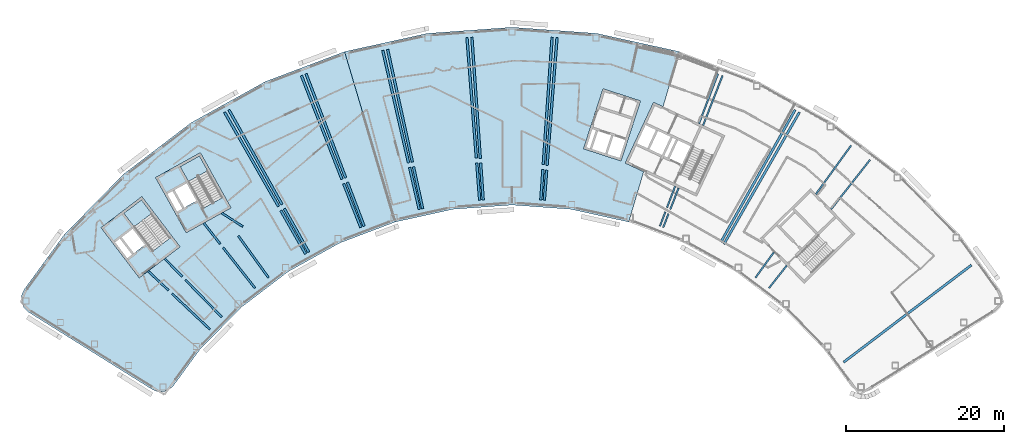
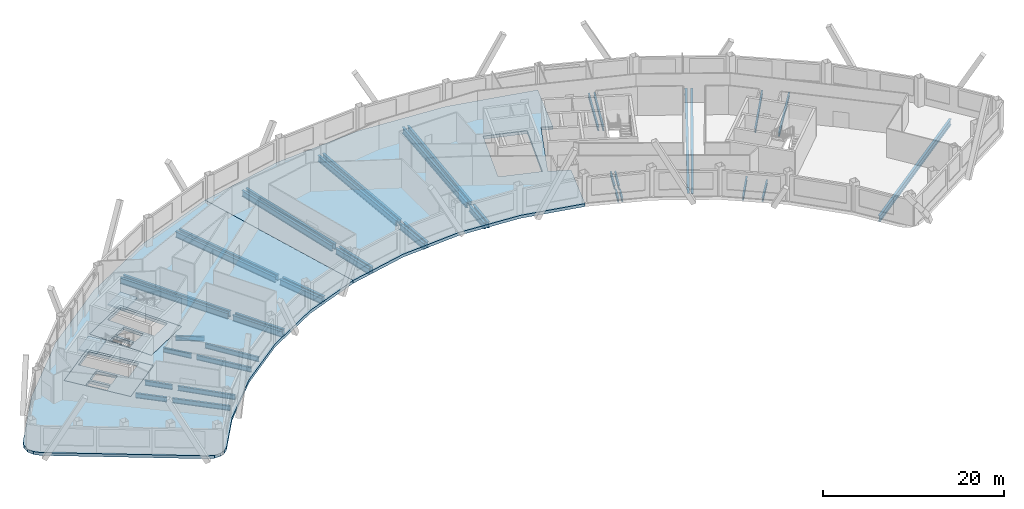
# One storey, part 3 of 13: 41 beams, 6 slabs, 2 elements without a shape of their own.
"""IFC4 building model written with IfcOpenShell, lengths in metres."""

from ifc_helpers import new_model, si_unit, direction, frame, origin, origin_2d, place, context, subcontext, project, spatial, polyline, i_section, outline, extrude, material, layer, layer_set, material_profile, profile_set, type_object, element, aggregate, save


model = new_model("IFC4")

# Units and contexts
model_context = context("Model", 3, precision=1e-05, world=origin(), true_north=direction((0.0, 1.0)))
body_context = subcontext(model_context, "Body", "Model", "MODEL_VIEW")
ifc_project = project(units=[si_unit("LENGTHUNIT", "METRE"), si_unit("AREAUNIT", "SQUARE_METRE"), si_unit("VOLUMEUNIT", "CUBIC_METRE"), si_unit("PLANEANGLEUNIT", "RADIAN"), si_unit("MASSUNIT", "GRAM", prefix="KILO")], contexts=[model_context])

# Site, building, storey
site_placement = place(None, origin())
site = spatial("IfcSite", under=ifc_project, at=site_placement, CompositionType="ELEMENT")
building_placement = place(site_placement, origin())
building = spatial("IfcBuilding", under=site, at=building_placement, Name="Tuul Gate Civic Tower", CompositionType="ELEMENT")
storey_placement = place(building_placement, frame((0.0, 0.0, 248.39990234375)))
storey = spatial("IfcBuildingStorey", under=building, at=storey_placement, Name="Level 56", CompositionType="ELEMENT", Elevation=248.39990234375)

# Beams
ifc_material_1 = material(Name="Steel S355", Category="steel")
ifc_material_profile_1 = material_profile(ifc_material_1, i_section(OverallWidth=0.199951171875, OverallDepth=0.5, WebThickness=0.010009765625, FlangeThickness=0.01611328125, at=origin_2d()), Name="PG500x200x10x16")
ifc_profile_set_1 = profile_set([ifc_material_profile_1], Name="Steel S355")
beam_type_1 = type_object("IfcBeamType", Name="STR-FLOOR BEAM-PG500x200x10x16", PredefinedType="BEAM", material=ifc_profile_set_1)
beam_1_placement = place(storey_placement, frame((43.65283203125, -19.018798828125, -0.64990234375), z_axis=(0.618884806669, 0.785481760497, 0.0), x_axis=(-0.785481760497, 0.618884806669, 0.0)))
element("IfcBeam", 1, at=beam_1_placement, inside=storey, type_object=beam_type_1, Name="Floor beam", PredefinedType="BEAM", context=body_context, shape_type="SweptSolid", body=[
    extrude(i_section(OverallWidth=0.199951171875, OverallDepth=0.5, WebThickness=0.010009765625, FlangeThickness=0.01611328125, at=origin_2d()), origin(), (0.0, 0.0, 1.0), 3.62841796875),
])
beam_2_placement = place(storey_placement, frame((51.51416015625, -9.041015625, -0.64990234375), z_axis=(0.618868232496, 0.785494819084, 0.0), x_axis=(-0.785494819084, 0.618868232496, 0.0)))
element("IfcBeam", 2, at=beam_2_placement, inside=storey, type_object=beam_type_1, Name="Floor beam", PredefinedType="BEAM", context=body_context, shape_type="SweptSolid", body=[
    extrude(i_section(OverallWidth=0.199951171875, OverallDepth=0.5, WebThickness=0.010009765625, FlangeThickness=0.01611328125, at=origin_2d()), origin(), (0.0, 0.0, 1.0), 8.0),
])
beam_3_placement = place(storey_placement, frame((41.9296875, -17.70703125, -0.64990234375), z_axis=(0.586087987159, 0.810247413639, 0.0), x_axis=(-0.810247413639, 0.586087987159, 0.0)))
element("IfcBeam", 3, at=beam_3_placement, inside=storey, type_object=beam_type_1, Name="Floor beam", PredefinedType="BEAM", context=body_context, shape_type="SweptSolid", body=[
    extrude(i_section(OverallWidth=0.199951171875, OverallDepth=0.5, WebThickness=0.010009765625, FlangeThickness=0.01611328125, at=origin_2d()), origin(), (0.0, 0.0, 1.0), 3.9677734375),
])
beam_4_placement = place(storey_placement, frame((49.606201171875, -7.094482421875, -0.64990234375), z_axis=(0.586084379685, 0.810250023073, 0.0), x_axis=(-0.810250023073, 0.586084379685, 0.0)))
element("IfcBeam", 4, at=beam_4_placement, inside=storey, type_object=beam_type_1, Name="Floor beam", PredefinedType="BEAM", context=body_context, shape_type="SweptSolid", body=[
    extrude(i_section(OverallWidth=0.199951171875, OverallDepth=0.5, WebThickness=0.010009765625, FlangeThickness=0.01611328125, at=origin_2d()), origin(), (0.0, 0.0, 1.0), 7.6083984375),
])
beam_5_placement = place(storey_placement, frame((30.219482421875, -11.332275390625, -0.64990234375), z_axis=(0.364004784205, 0.931397078091, 0.0), x_axis=(-0.931397078091, 0.364004784205, 0.0)))
element("IfcBeam", 5, at=beam_5_placement, inside=storey, type_object=beam_type_1, Name="Floor beam", PredefinedType="BEAM", context=body_context, shape_type="SweptSolid", body=[
    extrude(i_section(OverallWidth=0.199951171875, OverallDepth=0.5, WebThickness=0.010009765625, FlangeThickness=0.01611328125, at=origin_2d()), origin(), (0.0, 0.0, 1.0), 1.86669921875),
])
beam_6_placement = place(storey_placement, frame((31.119384765625, -9.02978515625, -0.64990234375), z_axis=(0.364073463609, 0.931370234169, 0.0), x_axis=(-0.931370234169, 0.364073463609, 0.0)))
element("IfcBeam", 6, at=beam_6_placement, inside=storey, type_object=beam_type_1, Name="Floor beam", PredefinedType="BEAM", context=body_context, shape_type="SweptSolid", body=[
    extrude(i_section(OverallWidth=0.199951171875, OverallDepth=0.5, WebThickness=0.010009765625, FlangeThickness=0.01611328125, at=origin_2d()), origin(), (0.0, 0.0, 1.0), 2.90966796875),
])
beam_7_placement = place(storey_placement, frame((35.279296875, 1.61328125, -0.64990234375), z_axis=(0.364058285938, 0.931376166992, 0.0), x_axis=(-0.931376166992, 0.364058285938, 0.0)))
element("IfcBeam", 7, at=beam_7_placement, inside=storey, type_object=beam_type_1, Name="Floor beam", PredefinedType="BEAM", context=body_context, shape_type="SweptSolid", body=[
    extrude(i_section(OverallWidth=0.199951171875, OverallDepth=0.5, WebThickness=0.010009765625, FlangeThickness=0.01611328125, at=origin_2d()), origin(), (0.0, 0.0, 1.0), 6.802001953125),
])
beam_8_placement = place(storey_placement, frame((29.800537109375, -11.173828125, -0.64990234375), z_axis=(0.356084559257, 0.934453737035, 0.0), x_axis=(-0.934453737035, 0.356084559257, 0.0)))
element("IfcBeam", 8, at=beam_8_placement, inside=storey, type_object=beam_type_1, Name="Floor beam", PredefinedType="BEAM", context=body_context, shape_type="SweptSolid", body=[
    extrude(i_section(OverallWidth=0.199951171875, OverallDepth=0.5, WebThickness=0.010009765625, FlangeThickness=0.01611328125, at=origin_2d()), origin(), (0.0, 0.0, 1.0), 1.93408203125),
])
beam_9_placement = place(storey_placement, frame((30.705078125, -8.80029296875, -0.64990234375), z_axis=(0.35610114832, 0.934447415409, 0.0), x_axis=(-0.934447415409, 0.35610114832, 0.0)))
element("IfcBeam", 9, at=beam_9_placement, inside=storey, type_object=beam_type_1, Name="Floor beam", PredefinedType="BEAM", context=body_context, shape_type="SweptSolid", body=[
    extrude(i_section(OverallWidth=0.199951171875, OverallDepth=0.5, WebThickness=0.010009765625, FlangeThickness=0.01611328125, at=origin_2d()), origin(), (0.0, 0.0, 1.0), 2.878173828125),
])
beam_10_placement = place(storey_placement, frame((34.76513671875, 1.85302734375, -0.64990234375), z_axis=(0.356113986588, 0.934442522875, 0.0), x_axis=(-0.934442522875, 0.356113986588, 0.0)))
element("IfcBeam", 10, at=beam_10_placement, inside=storey, type_object=beam_type_1, Name="Floor beam", PredefinedType="BEAM", context=body_context, shape_type="SweptSolid", body=[
    extrude(i_section(OverallWidth=0.199951171875, OverallDepth=0.5, WebThickness=0.010009765625, FlangeThickness=0.01611328125, at=origin_2d()), origin(), (0.0, 0.0, 1.0), 6.759033203125),
])
ifc_material_2 = material(Name="Steel S355", Category="steel")
ifc_material_profile_2 = material_profile(ifc_material_2, i_section(OverallWidth=0.25, OverallDepth=0.64990234375, WebThickness=0.011962890625, FlangeThickness=0.02001953125, at=origin_2d()), Name="PG650x250x12x20")
ifc_profile_set_2 = profile_set([ifc_material_profile_2], Name="Steel S355")
beam_type_2 = type_object("IfcBeamType", Name="STR-FLOOR BEAM-PG650x250x12x20", PredefinedType="BEAM", material=ifc_profile_set_2)
beam_11_placement = place(storey_placement, frame((-19.867919921875, -17.706787109375, -0.724853515625), z_axis=(-0.586082225903, 0.81025158098, 0.0), x_axis=(-0.81025158098, -0.586082225903, 0.0)))
element("IfcBeam", 11, at=beam_11_placement, inside=storey, type_object=beam_type_2, Name="Floor beam", PredefinedType="BEAM", context=body_context, shape_type="SweptSolid", body=[
    extrude(i_section(OverallWidth=0.25, OverallDepth=0.64990234375, WebThickness=0.011962890625, FlangeThickness=0.02001953125, at=origin_2d()), origin(), (0.0, 0.0, 1.0), 6.53662109375),
])
beam_12_placement = place(storey_placement, frame((-23.1279296875, -11.221435546875, -0.724853515625), z_axis=(-0.840643094041, 0.541589501782, 0.0), x_axis=(-0.541589501782, -0.840643094041, 0.0)))
element("IfcBeam", 12, at=beam_12_placement, inside=storey, type_object=beam_type_2, Name="Floor beam", PredefinedType="BEAM", context=body_context, shape_type="SweptSolid", body=[
    extrude(i_section(OverallWidth=0.25, OverallDepth=0.64990234375, WebThickness=0.011962890625, FlangeThickness=0.02001953125, at=origin_2d()), origin(), (0.0, 0.0, 1.0), 3.18798828125),
])
beam_13_placement = place(storey_placement, frame((-21.591064453125, -19.018798828125, -0.724853515625), z_axis=(-0.618860353356, 0.785501026762, 0.0), x_axis=(-0.785501026762, -0.618860353356, 0.0)))
element("IfcBeam", 13, at=beam_13_placement, inside=storey, type_object=beam_type_2, Name="Floor beam", PredefinedType="BEAM", context=body_context, shape_type="SweptSolid", body=[
    extrude(i_section(OverallWidth=0.25, OverallDepth=0.64990234375, WebThickness=0.011962890625, FlangeThickness=0.02001953125, at=origin_2d()), origin(), (0.0, 0.0, 1.0), 6.53564453125),
])
beam_14_placement = place(storey_placement, frame((-26.007080078125, -13.413818359375, -0.724853515625), z_axis=(-0.618881694485, 0.785484212592, 0.0), x_axis=(-0.785484212592, -0.618881694485, 0.0)))
element("IfcBeam", 14, at=beam_14_placement, inside=storey, type_object=beam_type_2, Name="Floor beam", PredefinedType="BEAM", context=body_context, shape_type="SweptSolid", body=[
    extrude(i_section(OverallWidth=0.25, OverallDepth=0.64990234375, WebThickness=0.011962890625, FlangeThickness=0.02001953125, at=origin_2d()), origin(), (0.0, 0.0, 1.0), 3.374755859375),
])
beam_15_placement = place(storey_placement, frame((-25.80224609375, -22.708251953125, -0.724853515625), z_axis=(-0.69869858551, 0.715416163227, 0.0), x_axis=(-0.715416163227, -0.69869858551, 0.0)))
element("IfcBeam", 15, at=beam_15_placement, inside=storey, type_object=beam_type_2, Name="Floor beam", PredefinedType="BEAM", context=body_context, shape_type="SweptSolid", body=[
    extrude(i_section(OverallWidth=0.25, OverallDepth=0.64990234375, WebThickness=0.011962890625, FlangeThickness=0.02001953125, at=origin_2d()), origin(), (0.0, 0.0, 1.0), 6.600830078125),
])
beam_16_placement = place(storey_placement, frame((-30.83349609375, -17.556396484375, -0.724853515625), z_axis=(-0.69869661679, 0.715418085937, 0.0), x_axis=(-0.715418085937, -0.69869661679, 0.0)))
element("IfcBeam", 16, at=beam_16_placement, inside=storey, type_object=beam_type_2, Name="Floor beam", PredefinedType="BEAM", context=body_context, shape_type="SweptSolid", body=[
    extrude(i_section(OverallWidth=0.25, OverallDepth=0.64990234375, WebThickness=0.011962890625, FlangeThickness=0.02001953125, at=origin_2d()), origin(), (0.0, 0.0, 1.0), 3.182861328125),
])
beam_17_placement = place(storey_placement, frame((-27.318359375, -24.2548828125, -0.724853515625), z_axis=(-0.727480734705, 0.686128108033, 0.0), x_axis=(-0.686128108033, -0.727480734705, 0.0)))
element("IfcBeam", 17, at=beam_17_placement, inside=storey, type_object=beam_type_2, Name="Floor beam", PredefinedType="BEAM", context=body_context, shape_type="SweptSolid", body=[
    extrude(i_section(OverallWidth=0.25, OverallDepth=0.64990234375, WebThickness=0.011962890625, FlangeThickness=0.02001953125, at=origin_2d()), origin(), (0.0, 0.0, 1.0), 6.6005859375),
])
beam_18_placement = place(storey_placement, frame((-32.556640625, -19.314208984375, -0.724853515625), z_axis=(-0.727507276995, 0.686099964961, 0.0), x_axis=(-0.686099964961, -0.727507276995, 0.0)))
element("IfcBeam", 18, at=beam_18_placement, inside=storey, type_object=beam_type_2, Name="Floor beam", PredefinedType="BEAM", context=body_context, shape_type="SweptSolid", body=[
    extrude(i_section(OverallWidth=0.25, OverallDepth=0.64990234375, WebThickness=0.011962890625, FlangeThickness=0.02001953125, at=origin_2d()), origin(), (0.0, 0.0, 1.0), 3.561279296875),
])
ifc_material_3 = material(Name="Steel S355", Category="steel")
ifc_material_profile_3 = material_profile(ifc_material_3, i_section(OverallWidth=0.300048828125, OverallDepth=0.800048828125, WebThickness=0.013916015625, FlangeThickness=0.02490234375, at=origin_2d()), Name="PG800x300x14x25")
ifc_profile_set_3 = profile_set([ifc_material_profile_3], Name="Steel S355")
beam_type_3 = type_object("IfcBeamType", Name="STR-FLOOR BEAM-PG800x300x14x25", PredefinedType="BEAM", material=ifc_profile_set_3)
beam_19_placement = place(storey_placement, frame((53.125732421875, -28.4306640625, -0.7998046875), z_axis=(0.796144865257, 0.605106067996, 0.0), x_axis=(-0.605106067996, 0.796144865257, 0.0)))
element("IfcBeam", 19, at=beam_19_placement, inside=storey, type_object=beam_type_3, Name="Floor beam", PredefinedType="BEAM", context=body_context, shape_type="SweptSolid", body=[
    extrude(i_section(OverallWidth=0.300048828125, OverallDepth=0.800048828125, WebThickness=0.013916015625, FlangeThickness=0.02490234375, at=origin_2d()), origin(), (0.0, 0.0, 1.0), 20.36181640625),
])
beam_20_placement = place(storey_placement, frame((37.9267578125, -13.44482421875, -0.7998046875), z_axis=(0.496835672716, 0.8678446372, 0.0), x_axis=(-0.8678446372, 0.496835672716, 0.0)))
element("IfcBeam", 20, at=beam_20_placement, inside=storey, type_object=beam_type_3, Name="Floor beam", PredefinedType="BEAM", context=body_context, shape_type="SweptSolid", body=[
    extrude(i_section(OverallWidth=0.300048828125, OverallDepth=0.800048828125, WebThickness=0.013916015625, FlangeThickness=0.02490234375, at=origin_2d()), origin(), (0.0, 0.0, 1.0), 19.27880859375),
])
beam_21_placement = place(storey_placement, frame((37.55712890625, -13.163330078125, -0.7998046875), z_axis=(0.48945490589, 0.872028609107, 0.0), x_axis=(-0.872028609107, 0.48945490589, 0.0)))
element("IfcBeam", 21, at=beam_21_placement, inside=storey, type_object=beam_type_3, Name="Floor beam", PredefinedType="BEAM", context=body_context, shape_type="SweptSolid", body=[
    extrude(i_section(OverallWidth=0.300048828125, OverallDepth=0.800048828125, WebThickness=0.013916015625, FlangeThickness=0.02490234375, at=origin_2d()), origin(), (0.0, 0.0, 1.0), 19.210205078125),
])
beam_22_placement = place(storey_placement, frame((15.1337890625, -7.878173828125, -0.7998046875), z_axis=(0.077830109162, 0.996966636407, 0.0), x_axis=(-0.996966636407, 0.077830109162, 0.0)))
element("IfcBeam", 22, at=beam_22_placement, inside=storey, type_object=beam_type_3, Name="Floor beam", PredefinedType="BEAM", context=body_context, shape_type="SweptSolid", body=[
    extrude(i_section(OverallWidth=0.300048828125, OverallDepth=0.800048828125, WebThickness=0.013916015625, FlangeThickness=0.02490234375, at=origin_2d()), origin(), (0.0, 0.0, 1.0), 3.820556640625),
])
beam_23_placement = place(storey_placement, frame((15.478271484375, -3.465087890625, -0.7998046875), z_axis=(0.077844798442, 0.996965489551, 0.0), x_axis=(-0.996965489551, 0.077844798442, 0.0)))
element("IfcBeam", 23, at=beam_23_placement, inside=storey, type_object=beam_type_3, Name="Floor beam", PredefinedType="BEAM", context=body_context, shape_type="SweptSolid", body=[
    extrude(i_section(OverallWidth=0.300048828125, OverallDepth=0.800048828125, WebThickness=0.013916015625, FlangeThickness=0.02490234375, at=origin_2d()), origin(), (0.0, 0.0, 1.0), 16.27392578125),
])
beam_24_placement = place(storey_placement, frame((14.68701171875, -7.845703125, -0.7998046875), z_axis=(0.069342653066, 0.99759290117, 0.0), x_axis=(-0.99759290117, 0.069342653066, 0.0)))
element("IfcBeam", 24, at=beam_24_placement, inside=storey, type_object=beam_type_3, Name="Floor beam", PredefinedType="BEAM", context=body_context, shape_type="SweptSolid", body=[
    extrude(i_section(OverallWidth=0.300048828125, OverallDepth=0.800048828125, WebThickness=0.013916015625, FlangeThickness=0.02490234375, at=origin_2d()), origin(), (0.0, 0.0, 1.0), 3.890380859375),
])
beam_25_placement = place(storey_placement, frame((14.9990234375, -3.359619140625, -0.7998046875), z_axis=(0.069355906885, 0.997591979809, 0.0), x_axis=(-0.997591979809, 0.069355906885, 0.0)))
element("IfcBeam", 25, at=beam_25_placement, inside=storey, type_object=beam_type_3, Name="Floor beam", PredefinedType="BEAM", context=body_context, shape_type="SweptSolid", body=[
    extrude(i_section(OverallWidth=0.300048828125, OverallDepth=0.800048828125, WebThickness=0.013916015625, FlangeThickness=0.02490234375, at=origin_2d()), origin(), (0.0, 0.0, 1.0), 16.203125),
])
beam_26_placement = place(storey_placement, frame((7.374755859375, -7.845703125, -0.7998046875), z_axis=(-0.069347454288, 0.997592567426, 0.0), x_axis=(-0.997592567426, -0.069347454288, 0.0)))
element("IfcBeam", 26, at=beam_26_placement, inside=storey, type_object=beam_type_3, Name="Floor beam", PredefinedType="BEAM", context=body_context, shape_type="SweptSolid", body=[
    extrude(i_section(OverallWidth=0.300048828125, OverallDepth=0.800048828125, WebThickness=0.013916015625, FlangeThickness=0.02490234375, at=origin_2d()), origin(), (0.0, 0.0, 1.0), 4.685791015625),
])
beam_27_placement = place(storey_placement, frame((7.0078125, -2.566650390625, -0.7998046875), z_axis=(-0.069367610505, 0.997591166066, 0.0), x_axis=(-0.997591166066, -0.069367610505, 0.0)))
element("IfcBeam", 27, at=beam_27_placement, inside=storey, type_object=beam_type_3, Name="Floor beam", PredefinedType="BEAM", context=body_context, shape_type="SweptSolid", body=[
    extrude(i_section(OverallWidth=0.300048828125, OverallDepth=0.800048828125, WebThickness=0.013916015625, FlangeThickness=0.02490234375, at=origin_2d()), origin(), (0.0, 0.0, 1.0), 15.408447265625),
])
beam_28_placement = place(storey_placement, frame((6.92822265625, -7.878173828125, -0.7998046875), z_axis=(-0.077854192057, 0.996964756037, 0.0), x_axis=(-0.996964756037, -0.077854192057, 0.0)))
element("IfcBeam", 28, at=beam_28_placement, inside=storey, type_object=beam_type_3, Name="Floor beam", PredefinedType="BEAM", context=body_context, shape_type="SweptSolid", body=[
    extrude(i_section(OverallWidth=0.300048828125, OverallDepth=0.800048828125, WebThickness=0.013916015625, FlangeThickness=0.02490234375, at=origin_2d()), origin(), (0.0, 0.0, 1.0), 4.757080078125),
])
beam_29_placement = place(storey_placement, frame((6.5107421875, -2.530517578125, -0.7998046875), z_axis=(-0.077843167063, 0.996965616931, 0.0), x_axis=(-0.996965616931, -0.077843167063, 0.0)))
element("IfcBeam", 29, at=beam_29_placement, inside=storey, type_object=beam_type_3, Name="Floor beam", PredefinedType="BEAM", context=body_context, shape_type="SweptSolid", body=[
    extrude(i_section(OverallWidth=0.300048828125, OverallDepth=0.800048828125, WebThickness=0.013916015625, FlangeThickness=0.02490234375, at=origin_2d()), origin(), (0.0, 0.0, 1.0), 15.336669921875),
])
beam_30_placement = place(storey_placement, frame((-0.3046875, -8.952392578125, -0.7998046875), z_axis=(-0.215061699792, 0.976600463487, 0.0), x_axis=(-0.976600463487, -0.215061699792, 0.0)))
element("IfcBeam", 30, at=beam_30_placement, inside=storey, type_object=beam_type_3, Name="Floor beam", PredefinedType="BEAM", context=body_context, shape_type="SweptSolid", body=[
    extrude(i_section(OverallWidth=0.300048828125, OverallDepth=0.800048828125, WebThickness=0.013916015625, FlangeThickness=0.02490234375, at=origin_2d()), origin(), (0.0, 0.0, 1.0), 5.451171875),
])
beam_31_placement = place(storey_placement, frame((-1.607421875, -3.036376953125, -0.7998046875), z_axis=(-0.215086972946, 0.976594897626, 0.0), x_axis=(-0.976594897626, -0.215086972946, 0.0)))
element("IfcBeam", 31, at=beam_31_placement, inside=storey, type_object=beam_type_3, Name="Floor beam", PredefinedType="BEAM", context=body_context, shape_type="SweptSolid", body=[
    extrude(i_section(OverallWidth=0.300048828125, OverallDepth=0.800048828125, WebThickness=0.013916015625, FlangeThickness=0.02490234375, at=origin_2d()), origin(), (0.0, 0.0, 1.0), 14.642578125),
])
beam_32_placement = place(storey_placement, frame((-0.741943359375, -9.048583984375, -0.7998046875), z_axis=(-0.223398252532, 0.974727254552, 0.0), x_axis=(-0.974727254552, -0.223398252532, 0.0)))
element("IfcBeam", 32, at=beam_32_placement, inside=storey, type_object=beam_type_3, Name="Floor beam", PredefinedType="BEAM", context=body_context, shape_type="SweptSolid", body=[
    extrude(i_section(OverallWidth=0.300048828125, OverallDepth=0.800048828125, WebThickness=0.013916015625, FlangeThickness=0.02490234375, at=origin_2d()), origin(), (0.0, 0.0, 1.0), 5.467529296875),
])
beam_33_placement = place(storey_placement, frame((-2.097412109375, -3.13427734375, -0.7998046875), z_axis=(-0.223366579308, 0.974734513213, 0.0), x_axis=(-0.974734513213, -0.223366579308, 0.0)))
element("IfcBeam", 33, at=beam_33_placement, inside=storey, type_object=beam_type_3, Name="Floor beam", PredefinedType="BEAM", context=body_context, shape_type="SweptSolid", body=[
    extrude(i_section(OverallWidth=0.300048828125, OverallDepth=0.800048828125, WebThickness=0.013916015625, FlangeThickness=0.02490234375, at=origin_2d()), origin(), (0.0, 0.0, 1.0), 14.633056640625),
])
beam_34_placement = place(storey_placement, frame((-7.738525390625, -11.173828125, -0.7998046875), z_axis=(-0.356148566362, 0.934429343866, 0.0), x_axis=(-0.934429343866, -0.356148566362, 0.0)))
element("IfcBeam", 34, at=beam_34_placement, inside=storey, type_object=beam_type_3, Name="Floor beam", PredefinedType="BEAM", context=body_context, shape_type="SweptSolid", body=[
    extrude(i_section(OverallWidth=0.300048828125, OverallDepth=0.800048828125, WebThickness=0.013916015625, FlangeThickness=0.02490234375, at=origin_2d()), origin(), (0.0, 0.0, 1.0), 5.96240234375),
])
beam_35_placement = place(storey_placement, frame((-10.07568359375, -5.04150390625, -0.7998046875), z_axis=(-0.3561260231, 0.934437935698, 0.0), x_axis=(-0.934437935698, -0.3561260231, 0.0)))
element("IfcBeam", 35, at=beam_35_placement, inside=storey, type_object=beam_type_3, Name="Floor beam", PredefinedType="BEAM", context=body_context, shape_type="SweptSolid", body=[
    extrude(i_section(OverallWidth=0.300048828125, OverallDepth=0.800048828125, WebThickness=0.013916015625, FlangeThickness=0.02490234375, at=origin_2d()), origin(), (0.0, 0.0, 1.0), 14.13720703125),
])
beam_36_placement = place(storey_placement, frame((-8.157470703125, -11.332275390625, -0.7998046875), z_axis=(-0.364065874031, 0.931373200906, 0.0), x_axis=(-0.931373200906, -0.364065874031, 0.0)))
element("IfcBeam", 36, at=beam_36_placement, inside=storey, type_object=beam_type_3, Name="Floor beam", PredefinedType="BEAM", context=body_context, shape_type="SweptSolid", body=[
    extrude(i_section(OverallWidth=0.300048828125, OverallDepth=0.800048828125, WebThickness=0.013916015625, FlangeThickness=0.02490234375, at=origin_2d()), origin(), (0.0, 0.0, 1.0), 5.962890625),
])
beam_37_placement = place(storey_placement, frame((-10.546875, -5.2197265625, -0.7998046875), z_axis=(-0.364049032309, 0.931379784017, 0.0), x_axis=(-0.931379784017, -0.364049032309, 0.0)))
element("IfcBeam", 37, at=beam_37_placement, inside=storey, type_object=beam_type_3, Name="Floor beam", PredefinedType="BEAM", context=body_context, shape_type="SweptSolid", body=[
    extrude(i_section(OverallWidth=0.300048828125, OverallDepth=0.800048828125, WebThickness=0.013916015625, FlangeThickness=0.02490234375, at=origin_2d()), origin(), (0.0, 0.0, 1.0), 14.13818359375),
])
beam_38_placement = place(storey_placement, frame((-14.76611328125, -14.462646484375, -0.7998046875), z_axis=(-0.489452316573, 0.872030062442, 0.0), x_axis=(-0.872030062442, -0.489452316573, 0.0)))
element("IfcBeam", 38, at=beam_38_placement, inside=storey, type_object=beam_type_3, Name="Floor beam", PredefinedType="BEAM", context=body_context, shape_type="SweptSolid", body=[
    extrude(i_section(OverallWidth=0.300048828125, OverallDepth=0.800048828125, WebThickness=0.013916015625, FlangeThickness=0.02490234375, at=origin_2d()), origin(), (0.0, 0.0, 1.0), 6.32080078125),
])
beam_39_placement = place(storey_placement, frame((-18.153564453125, -8.42724609375, -0.7998046875), z_axis=(-0.48944588565, 0.872033671953, 0.0), x_axis=(-0.872033671953, -0.48944588565, 0.0)))
element("IfcBeam", 39, at=beam_39_placement, inside=storey, type_object=beam_type_3, Name="Floor beam", PredefinedType="BEAM", context=body_context, shape_type="SweptSolid", body=[
    extrude(i_section(OverallWidth=0.300048828125, OverallDepth=0.800048828125, WebThickness=0.013916015625, FlangeThickness=0.02490234375, at=origin_2d()), origin(), (0.0, 0.0, 1.0), 13.779052734375),
])
beam_40_placement = place(storey_placement, frame((-15.15771484375, -14.679931640625, -0.7998046875), z_axis=(-0.496849979328, 0.867836446597, 0.0), x_axis=(-0.867836446597, -0.496849979328, 0.0)))
element("IfcBeam", 40, at=beam_40_placement, inside=storey, type_object=beam_type_3, Name="Floor beam", PredefinedType="BEAM", context=body_context, shape_type="SweptSolid", body=[
    extrude(i_section(OverallWidth=0.300048828125, OverallDepth=0.800048828125, WebThickness=0.013916015625, FlangeThickness=0.02490234375, at=origin_2d()), origin(), (0.0, 0.0, 1.0), 6.321533203125),
])
beam_41_placement = place(storey_placement, frame((-18.5966796875, -8.673095703125, -0.7998046875), z_axis=(-0.496840893764, 0.867841648161, 0.0), x_axis=(-0.867841648161, -0.496840893764, 0.0)))
element("IfcBeam", 41, at=beam_41_placement, inside=storey, type_object=beam_type_3, Name="Floor beam", PredefinedType="BEAM", context=body_context, shape_type="SweptSolid", body=[
    extrude(i_section(OverallWidth=0.300048828125, OverallDepth=0.800048828125, WebThickness=0.013916015625, FlangeThickness=0.02490234375, at=origin_2d()), origin(), (0.0, 0.0, 1.0), 13.780517578125),
])

# Slabs
ifc_material_4 = material(Name="Concrete C40/50", Category="concrete")
ifc_layer_1 = layer(ifc_material_4, 0.39990234375)
ifc_layer_set_1 = layer_set([ifc_layer_1], Name="Concrete C40/50")
slab_type_1 = type_object("IfcSlabType", Name="Core floor slab 400", PredefinedType="FLOOR", material=ifc_layer_set_1)
slab_1_placement = place(storey_placement, frame((0.0, 0.0, -0.400146484375)))
element("IfcSlab", 42, at=slab_1_placement, inside=storey, type_object=slab_type_1, Name="FLOOR SLAB", PredefinedType="FLOOR", context=body_context, shape_type="SweptSolid", body=[
    extrude(outline(polyline([(-31.10009765625, -13.7890625), (-35.946044921875, -7.423828125), (-41.11767578125, -11.361572265625), (-36.271484375, -17.726806640625), (-31.10009765625, -13.7890625)]), holes=[polyline([(-35.561767578125, -13.541259765625), (-37.1064453125, -11.512451171875), (-38.498779296875, -12.572509765625), (-36.9541015625, -14.6015625), (-35.561767578125, -13.541259765625)]), polyline([(-37.19287109375, -14.783203125), (-38.737548828125, -12.75439453125), (-39.45361328125, -13.299560546875), (-37.908935546875, -15.328369140625), (-37.19287109375, -14.783203125)]), polyline([(-32.33935546875, -12.65771484375), (-34.56591796875, -14.352783203125), (-38.229736328125, -9.54052734375), (-36.003173828125, -7.845458984375), (-32.33935546875, -12.65771484375)])]), origin(), (0.0, 0.0, 1.0), 0.400146484375),
])
slab_2_placement = place(storey_placement, frame((0.0, 0.0, -0.400146484375)))
element("IfcSlab", 43, at=slab_2_placement, inside=storey, type_object=slab_type_1, Name="FLOOR SLAB", PredefinedType="FLOOR", context=body_context, shape_type="SweptSolid", body=[
    extrude(outline(polyline([(-24.638916015625, -8.846923828125), (-28.51708984375, -1.849853515625), (-34.2021484375, -5.0009765625), (-30.32421875, -11.998046875), (-24.638916015625, -8.846923828125)]), holes=[polyline([(-29.0185546875, -7.958740234375), (-30.254638671875, -5.728515625), (-31.785400390625, -6.576904296875), (-30.54931640625, -8.80712890625), (-29.0185546875, -7.958740234375)]), polyline([(-30.8115234375, -8.95263671875), (-32.047607421875, -6.72216796875), (-32.8349609375, -7.158447265625), (-31.5986328125, -9.388916015625), (-30.8115234375, -8.95263671875)]), polyline([(-25.702392578125, -7.548828125), (-28.14990234375, -8.905517578125), (-31.08203125, -3.615234375), (-28.63427734375, -2.2587890625), (-25.702392578125, -7.548828125)])]), origin(), (0.0, 0.0, 1.0), 0.400146484375),
])

# Stair, slab
ifc_material_5 = material(Name="Concrete C40/50", Category="concrete")
stair_type = type_object("IfcStairType", Name="Exit stair", PredefinedType="HALF_TURN_STAIR", material=ifc_material_5)
stair_1_placement = place(storey_placement, origin())
stair_1 = element("IfcStair", 44, at=stair_1_placement, inside=storey, type_object=stair_type, Name="Level 56 ST-1", PredefinedType="HALF_TURN_STAIR")
ifc_material_6 = material(Name="Concrete C40/50", Category="concrete")
ifc_layer_2 = layer(ifc_material_6, 0.199951171875)
ifc_layer_set_2 = layer_set([ifc_layer_2], Name="Concrete C40/50")
slab_type_2 = type_object("IfcSlabType", Name="Exit stair landing", PredefinedType="LANDING", material=ifc_layer_set_2)
slab_3_placement = place(storey_placement, frame((0.0, 0.0, 1.900146484375)))
slab_3 = element("IfcSlab", 45, at=slab_3_placement, type_object=slab_type_2, Name="ST-1 landing 1", PredefinedType="LANDING", context=body_context, shape_type="SweptSolid", body=[
    extrude(outline(polyline([(-34.699462890625, -9.554931640625), (-36.9287109375, -11.252197265625), (-38.23193359375, -9.540283203125), (-36.0029296875, -7.843017578125), (-34.699462890625, -9.554931640625)])), origin(), (0.0, 0.0, 1.0), 0.199951171875),
])
aggregate(stair_1, [slab_3])

stair_2_placement = place(storey_placement, origin())
stair_2 = element("IfcStair", 46, at=stair_2_placement, inside=storey, type_object=stair_type, Name="Level 56 ST-2", PredefinedType="HALF_TURN_STAIR")
slab_4_placement = place(storey_placement, frame((0.0, 0.0, 1.900146484375)))
slab_4 = element("IfcSlab", 47, at=slab_4_placement, type_object=slab_type_2, Name="ST-2 landing 1", PredefinedType="LANDING", context=body_context, shape_type="SweptSolid", body=[
    extrude(outline(polyline([(-27.5908203125, -4.138427734375), (-30.041015625, -5.49658203125), (-31.084228515625, -3.61474609375), (-28.6337890625, -2.256591796875), (-27.5908203125, -4.138427734375)])), origin(), (0.0, 0.0, 1.0), 0.199951171875),
])
aggregate(stair_2, [slab_4])

# Slabs
ifc_material_7 = material(Name="Concrete C35/45", Category="concrete")
ifc_layer_3 = layer(ifc_material_7, 0.39990234375)
ifc_layer_set_3 = layer_set([ifc_layer_3], Name="Concrete C35/45")
slab_type_3 = type_object("IfcSlabType", Name="STR-FLOOR-SLAB-400", PredefinedType="FLOOR", material=ifc_layer_set_3)
slab_5_placement = place(storey_placement, frame((0.0, 0.0, -0.400146484375)))
element("IfcSlab", 48, at=slab_5_placement, inside=storey, type_object=slab_type_3, Name="Level 56/slab/W", PredefinedType="FLOOR", context=body_context, shape_type="SweptSolid", body=[
    extrude(outline(polyline([(-10.802978515625, -13.294921875), (-3.782958984375, -10.64111328125), (-10.217041015625, 10.98095703125), (-20.285888671875, 7.174072265625), (-29.699951171875, 1.955078125), (-38.264892578125, -4.56591796875), (-45.800048828125, -12.2529296875), (-50.881103515625, -19.208984375), (-51.217041015625, -19.951904296875), (-51.22900390625, -20.76806640625), (-50.9140625, -21.52001953125), (-50.324951171875, -22.0849609375), (-34.594970703125, -31.9140625), (-33.90087890625, -32.18408203125), (-33.156005859375, -32.181884765625), (-32.464111328125, -31.906982421875), (-31.919921875, -31.39697265625), (-28.591064453125, -26.839111328125), (-23.337890625, -21.47998046875), (-17.366943359375, -16.93408203125), (-10.802978515625, -13.294921875)]), holes=[polyline([(-31.10009765625, -13.7890625), (-36.27197265625, -17.72705078125), (-41.117919921875, -11.362060546875), (-35.946044921875, -7.424072265625), (-31.10009765625, -13.7890625)]), polyline([(-24.638916015625, -8.846923828125), (-30.323974609375, -11.998046875), (-34.201904296875, -5.0009765625), (-28.51708984375, -1.85009765625), (-24.638916015625, -8.846923828125)])]), origin(), (0.0, 0.0, 1.0), 0.400146484375),
])
slab_6_placement = place(storey_placement, frame((0.0, 0.0, -0.400146484375)))
element("IfcSlab", 49, at=slab_6_placement, inside=storey, type_object=slab_type_3, Name="Level 56/slab/M", PredefinedType="FLOOR", context=body_context, shape_type="SweptSolid", body=[
    extrude(outline(polyline([(18.51611328125, -9.02490234375), (25.844970703125, -10.64111328125), (27.74609375, -4.2529296875), (25.402099609375, -3.159912109375), (28.993896484375, 4.5439453125), (30.197021484375, 3.98291015625), (32.279052734375, 10.98095703125), (21.76708984375, 13.298095703125), (11.031005859375, 14.075927734375), (0.294921875, 13.298095703125), (-10.217041015625, 10.98095703125), (-3.782958984375, -10.64111328125), (3.5458984375, -9.02490234375), (11.031005859375, -8.48291015625), (18.51611328125, -9.02490234375)]), holes=[polyline([(20.110107421875, -1.343994140625), (22.58203125, 6.264892578125), (27.337890625, 4.719970703125), (24.864990234375, -2.888916015625), (20.110107421875, -1.343994140625)])]), origin(), (0.0, 0.0, 1.0), 0.400146484375),
])

save(model, "model.ifc")
